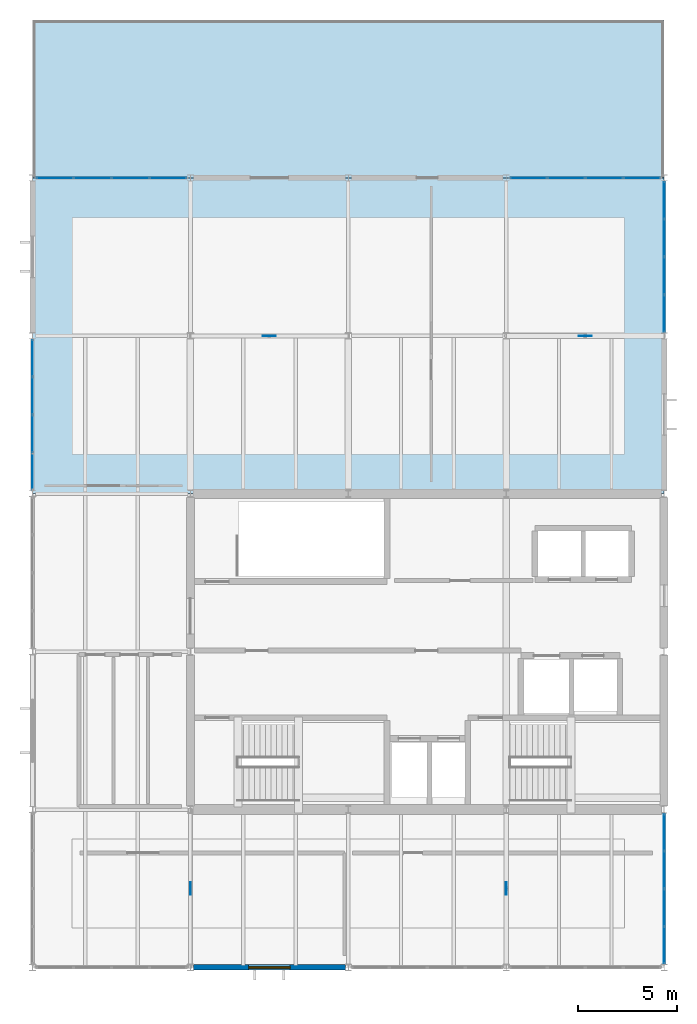
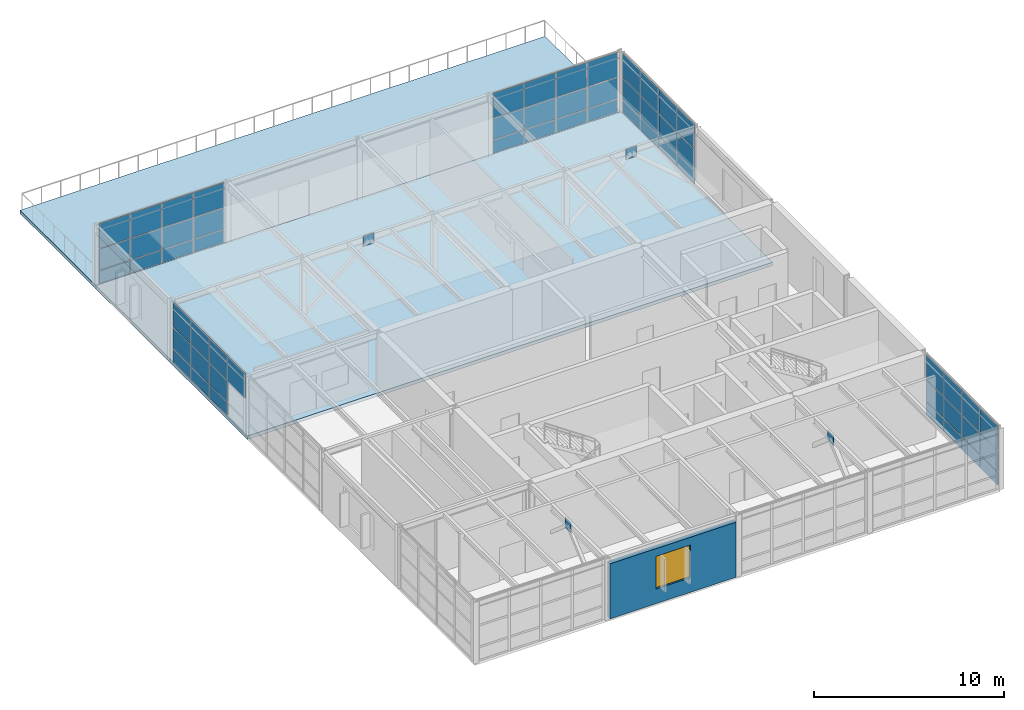
# One storey, part 12 of 15: 62 plates, 2 slabs, 1 wall, 1 window, 1 opening, 5 elements without a shape of their own.
"""IFC4 building model written with IfcOpenShell, lengths in metres."""

from ifc_helpers import new_model, si_unit, direction, frame, frame_2d, origin, origin_2d, place, context, subcontext, project, spatial, polyline, rectangle, outline, extrude, material, layer, layer_set, type_object, element, fill, aggregate, save


model = new_model("IFC4")

# Units and contexts
model_context = context("Model", 3, precision=1e-05, world=origin(), true_north=direction((0.0, 1.0)))
body_context = subcontext(model_context, "Body", "Model", "MODEL_VIEW")
ifc_project = project(units=[si_unit("LENGTHUNIT", "METRE"), si_unit("AREAUNIT", "SQUARE_METRE"), si_unit("VOLUMEUNIT", "CUBIC_METRE"), si_unit("PLANEANGLEUNIT", "RADIAN"), si_unit("MASSUNIT", "GRAM", prefix="KILO")], contexts=[model_context])

# Site, building, storey
site_placement = place(None, origin())
site = spatial("IfcSite", under=ifc_project, at=site_placement, CompositionType="ELEMENT")
building_placement = place(site_placement, origin())
building = spatial("IfcBuilding", under=site, at=building_placement, Name="Varnela Railside Interchange", CompositionType="ELEMENT")
storey_placement = place(building_placement, frame((0.0, 0.0, 32.199951171875)))
storey = spatial("IfcBuildingStorey", under=building, at=storey_placement, Name="L07", CompositionType="ELEMENT", Elevation=32.199951171875)

# Curtain wall, plates
ifc_material_1 = material(Name="Aluminium 6063-T6", Category="aluminium")
ifc_layer_1 = layer(ifc_material_1, 0.035888671875)
ifc_layer_set_1 = layer_set([ifc_layer_1], Name="Aluminium 6063-T6")
curtain_wall_type = type_object("IfcCurtainWallType", Name="Operations Wing Facade Curtain Wall CW-03", PredefinedType="USERDEFINED", material=ifc_layer_set_1)
curtain_wall_1_placement = place(storey_placement, origin())
curtain_wall_1 = element("IfcCurtainWall", 1, at=curtain_wall_1_placement, inside=storey, type_object=curtain_wall_type, Name="Curtain Wall CW-03 (L07) (CW-158)", ObjectType="CURTAIN WALL", PredefinedType="USERDEFINED")
ifc_material_2 = material(Name="Glass laminated double", Category="glass")
ifc_layer_2 = layer(ifc_material_2, 0.0400390625)
ifc_layer_set_2 = layer_set([ifc_layer_2], Name="Glass laminated double")
plate_type_1 = type_object("IfcPlateType", Name="Acoustic Laminated Vision GL-03", PredefinedType="CURTAIN_PANEL", material=ifc_layer_set_2)
plate_1_placement = place(storey_placement, frame((4.0, 71.130615234375, 2.326904296875), z_axis=(0.0, 0.0, 1.0), x_axis=(0.0, 1.0, 0.0)))
plate_1 = element("IfcPlate", 2, at=plate_1_placement, type_object=plate_type_1, Name="CW-03 panel 1.3", PredefinedType="CURTAIN_PANEL", context=body_context, shape_type="SweptSolid", body=[
    extrude(rectangle(XDim=1.8330078125, YDim=0.0400390625, at=origin_2d()), origin(), (0.0, 0.0, 1.0), 1.5732421875),
])
plate_2_placement = place(storey_placement, frame((4.0, 73.03857421875, 0.06005859375), z_axis=(0.0, 0.0, 1.0), x_axis=(0.0, 1.0, 0.0)))
plate_2 = element("IfcPlate", 3, at=plate_2_placement, type_object=plate_type_1, Name="CW-03 panel 2.1", PredefinedType="CURTAIN_PANEL", context=body_context, shape_type="SweptSolid", body=[
    extrude(rectangle(XDim=1.863037109375, YDim=0.0400390625, at=origin_2d()), origin(), (0.0, 0.0, 1.0), 0.81005859375),
])
plate_3_placement = place(storey_placement, frame((4.0, 73.03857421875, 0.929931640625), z_axis=(0.0, 0.0, 1.0), x_axis=(0.0, 1.0, 0.0)))
plate_3 = element("IfcPlate", 4, at=plate_3_placement, type_object=plate_type_1, Name="CW-03 panel 2.2", PredefinedType="CURTAIN_PANEL", context=body_context, shape_type="SweptSolid", body=[
    extrude(rectangle(XDim=1.863037109375, YDim=0.0400390625, at=origin_2d()), origin(), (0.0, 0.0, 1.0), 1.3369140625),
])
plate_4_placement = place(storey_placement, frame((4.0, 73.03857421875, 2.326904296875), z_axis=(0.0, 0.0, 1.0), x_axis=(0.0, 1.0, 0.0)))
plate_4 = element("IfcPlate", 5, at=plate_4_placement, type_object=plate_type_1, Name="CW-03 panel 2.3", PredefinedType="CURTAIN_PANEL", context=body_context, shape_type="SweptSolid", body=[
    extrude(rectangle(XDim=1.863037109375, YDim=0.0400390625, at=origin_2d()), origin(), (0.0, 0.0, 1.0), 1.5732421875),
])
plate_5_placement = place(storey_placement, frame((4.0, 74.96142578125, 0.06005859375), z_axis=(0.0, 0.0, 1.0), x_axis=(0.0, 1.0, 0.0)))
plate_5 = element("IfcPlate", 6, at=plate_5_placement, type_object=plate_type_1, Name="CW-03 panel 3.1", PredefinedType="CURTAIN_PANEL", context=body_context, shape_type="SweptSolid", body=[
    extrude(rectangle(XDim=1.863037109375, YDim=0.0400390625, at=origin_2d()), origin(), (0.0, 0.0, 1.0), 0.81005859375),
])
plate_6_placement = place(storey_placement, frame((4.0, 74.96142578125, 0.929931640625), z_axis=(0.0, 0.0, 1.0), x_axis=(0.0, 1.0, 0.0)))
plate_6 = element("IfcPlate", 7, at=plate_6_placement, type_object=plate_type_1, Name="CW-03 panel 3.2", PredefinedType="CURTAIN_PANEL", context=body_context, shape_type="SweptSolid", body=[
    extrude(rectangle(XDim=1.863037109375, YDim=0.0400390625, at=origin_2d()), origin(), (0.0, 0.0, 1.0), 1.3369140625),
])
plate_7_placement = place(storey_placement, frame((4.0, 74.96142578125, 2.326904296875), z_axis=(0.0, 0.0, 1.0), x_axis=(0.0, 1.0, 0.0)))
plate_7 = element("IfcPlate", 8, at=plate_7_placement, type_object=plate_type_1, Name="CW-03 panel 3.3", PredefinedType="CURTAIN_PANEL", context=body_context, shape_type="SweptSolid", body=[
    extrude(rectangle(XDim=1.863037109375, YDim=0.0400390625, at=origin_2d()), origin(), (0.0, 0.0, 1.0), 1.5732421875),
])
plate_8_placement = place(storey_placement, frame((4.0, 76.869384765625, 0.06005859375), z_axis=(0.0, 0.0, 1.0), x_axis=(0.0, 1.0, 0.0)))
plate_8 = element("IfcPlate", 9, at=plate_8_placement, type_object=plate_type_1, Name="CW-03 panel 4.1", PredefinedType="CURTAIN_PANEL", context=body_context, shape_type="SweptSolid", body=[
    extrude(rectangle(XDim=1.8330078125, YDim=0.0400390625, at=origin_2d()), origin(), (0.0, 0.0, 1.0), 0.81005859375),
])
plate_9_placement = place(storey_placement, frame((4.0, 76.869384765625, 0.929931640625), z_axis=(0.0, 0.0, 1.0), x_axis=(0.0, 1.0, 0.0)))
plate_9 = element("IfcPlate", 10, at=plate_9_placement, type_object=plate_type_1, Name="CW-03 panel 4.2", PredefinedType="CURTAIN_PANEL", context=body_context, shape_type="SweptSolid", body=[
    extrude(rectangle(XDim=1.8330078125, YDim=0.0400390625, at=origin_2d()), origin(), (0.0, 0.0, 1.0), 1.3369140625),
])
plate_10_placement = place(storey_placement, frame((4.0, 76.869384765625, 2.326904296875), z_axis=(0.0, 0.0, 1.0), x_axis=(0.0, 1.0, 0.0)))
plate_10 = element("IfcPlate", 11, at=plate_10_placement, type_object=plate_type_1, Name="CW-03 panel 4.3", PredefinedType="CURTAIN_PANEL", context=body_context, shape_type="SweptSolid", body=[
    extrude(rectangle(XDim=1.8330078125, YDim=0.0400390625, at=origin_2d()), origin(), (0.0, 0.0, 1.0), 1.5732421875),
])
aggregate(curtain_wall_1, [plate_1, plate_2, plate_3, plate_4, plate_5, plate_6, plate_7, plate_8, plate_9, plate_10])

curtain_wall_2_placement = place(storey_placement, origin())
curtain_wall_2 = element("IfcCurtainWall", 12, at=curtain_wall_2_placement, inside=storey, type_object=curtain_wall_type, Name="Curtain Wall CW-03 (L07) (CW-150)", ObjectType="CURTAIN WALL", PredefinedType="USERDEFINED")
plate_11_placement = place(storey_placement, frame((5.13134765625, 86.0, 0.06005859375), z_axis=(0.0, 0.0, 1.0), x_axis=(1.0, 0.0, 0.0)))
plate_11 = element("IfcPlate", 13, at=plate_11_placement, type_object=plate_type_1, Name="CW-03 panel 1.1", PredefinedType="CURTAIN_PANEL", context=body_context, shape_type="SweptSolid", body=[
    extrude(rectangle(XDim=1.83251953125, YDim=0.0400390625, at=origin_2d()), origin(), (0.0, 0.0, 1.0), 0.81005859375),
])
plate_12_placement = place(storey_placement, frame((5.13134765625, 86.0, 0.929931640625), z_axis=(0.0, 0.0, 1.0), x_axis=(1.0, 0.0, 0.0)))
plate_12 = element("IfcPlate", 14, at=plate_12_placement, type_object=plate_type_1, Name="CW-03 panel 1.2", PredefinedType="CURTAIN_PANEL", context=body_context, shape_type="SweptSolid", body=[
    extrude(rectangle(XDim=1.83251953125, YDim=0.0400390625, at=origin_2d()), origin(), (0.0, 0.0, 1.0), 1.3369140625),
])
plate_13_placement = place(storey_placement, frame((5.13134765625, 86.0, 2.326904296875), z_axis=(0.0, 0.0, 1.0), x_axis=(1.0, 0.0, 0.0)))
plate_13 = element("IfcPlate", 15, at=plate_13_placement, type_object=plate_type_1, Name="CW-03 panel 1.3", PredefinedType="CURTAIN_PANEL", context=body_context, shape_type="SweptSolid", body=[
    extrude(rectangle(XDim=1.83251953125, YDim=0.0400390625, at=origin_2d()), origin(), (0.0, 0.0, 1.0), 1.5732421875),
])
plate_14_placement = place(storey_placement, frame((7.038818359375, 86.0, 0.06005859375), z_axis=(0.0, 0.0, 1.0), x_axis=(1.0, 0.0, 0.0)))
plate_14 = element("IfcPlate", 16, at=plate_14_placement, type_object=plate_type_1, Name="CW-03 panel 2.1", PredefinedType="CURTAIN_PANEL", context=body_context, shape_type="SweptSolid", body=[
    extrude(rectangle(XDim=1.862548828125, YDim=0.0400390625, at=origin_2d()), origin(), (0.0, 0.0, 1.0), 0.81005859375),
])
plate_15_placement = place(storey_placement, frame((7.038818359375, 86.0, 0.929931640625), z_axis=(0.0, 0.0, 1.0), x_axis=(1.0, 0.0, 0.0)))
plate_15 = element("IfcPlate", 17, at=plate_15_placement, type_object=plate_type_1, Name="CW-03 panel 2.2", PredefinedType="CURTAIN_PANEL", context=body_context, shape_type="SweptSolid", body=[
    extrude(rectangle(XDim=1.862548828125, YDim=0.0400390625, at=origin_2d()), origin(), (0.0, 0.0, 1.0), 1.3369140625),
])
plate_16_placement = place(storey_placement, frame((7.038818359375, 86.0, 2.326904296875), z_axis=(0.0, 0.0, 1.0), x_axis=(1.0, 0.0, 0.0)))
plate_16 = element("IfcPlate", 18, at=plate_16_placement, type_object=plate_type_1, Name="CW-03 panel 2.3", PredefinedType="CURTAIN_PANEL", context=body_context, shape_type="SweptSolid", body=[
    extrude(rectangle(XDim=1.862548828125, YDim=0.0400390625, at=origin_2d()), origin(), (0.0, 0.0, 1.0), 1.5732421875),
])
plate_17_placement = place(storey_placement, frame((8.961181640625, 86.0, 0.06005859375), z_axis=(0.0, 0.0, 1.0), x_axis=(1.0, 0.0, 0.0)))
plate_17 = element("IfcPlate", 19, at=plate_17_placement, type_object=plate_type_1, Name="CW-03 panel 3.1", PredefinedType="CURTAIN_PANEL", context=body_context, shape_type="SweptSolid", body=[
    extrude(rectangle(XDim=1.862548828125, YDim=0.0400390625, at=origin_2d()), origin(), (0.0, 0.0, 1.0), 0.81005859375),
])
plate_18_placement = place(storey_placement, frame((8.961181640625, 86.0, 0.929931640625), z_axis=(0.0, 0.0, 1.0), x_axis=(1.0, 0.0, 0.0)))
plate_18 = element("IfcPlate", 20, at=plate_18_placement, type_object=plate_type_1, Name="CW-03 panel 3.2", PredefinedType="CURTAIN_PANEL", context=body_context, shape_type="SweptSolid", body=[
    extrude(rectangle(XDim=1.862548828125, YDim=0.0400390625, at=origin_2d()), origin(), (0.0, 0.0, 1.0), 1.3369140625),
])
plate_19_placement = place(storey_placement, frame((8.961181640625, 86.0, 2.326904296875), z_axis=(0.0, 0.0, 1.0), x_axis=(1.0, 0.0, 0.0)))
plate_19 = element("IfcPlate", 21, at=plate_19_placement, type_object=plate_type_1, Name="CW-03 panel 3.3", PredefinedType="CURTAIN_PANEL", context=body_context, shape_type="SweptSolid", body=[
    extrude(rectangle(XDim=1.862548828125, YDim=0.0400390625, at=origin_2d()), origin(), (0.0, 0.0, 1.0), 1.5732421875),
])
plate_20_placement = place(storey_placement, frame((10.86865234375, 86.0, 0.06005859375), z_axis=(0.0, 0.0, 1.0), x_axis=(1.0, 0.0, 0.0)))
plate_20 = element("IfcPlate", 22, at=plate_20_placement, type_object=plate_type_1, Name="CW-03 panel 4.1", PredefinedType="CURTAIN_PANEL", context=body_context, shape_type="SweptSolid", body=[
    extrude(rectangle(XDim=1.83251953125, YDim=0.0400390625, at=origin_2d()), origin(), (0.0, 0.0, 1.0), 0.81005859375),
])
plate_21_placement = place(storey_placement, frame((10.86865234375, 86.0, 0.929931640625), z_axis=(0.0, 0.0, 1.0), x_axis=(1.0, 0.0, 0.0)))
plate_21 = element("IfcPlate", 23, at=plate_21_placement, type_object=plate_type_1, Name="CW-03 panel 4.2", PredefinedType="CURTAIN_PANEL", context=body_context, shape_type="SweptSolid", body=[
    extrude(rectangle(XDim=1.83251953125, YDim=0.0400390625, at=origin_2d()), origin(), (0.0, 0.0, 1.0), 1.3369140625),
])
plate_22_placement = place(storey_placement, frame((10.86865234375, 86.0, 2.326904296875), z_axis=(0.0, 0.0, 1.0), x_axis=(1.0, 0.0, 0.0)))
plate_22 = element("IfcPlate", 24, at=plate_22_placement, type_object=plate_type_1, Name="CW-03 panel 4.3", PredefinedType="CURTAIN_PANEL", context=body_context, shape_type="SweptSolid", body=[
    extrude(rectangle(XDim=1.83251953125, YDim=0.0400390625, at=origin_2d()), origin(), (0.0, 0.0, 1.0), 1.5732421875),
])
aggregate(curtain_wall_2, [plate_11, plate_12, plate_13, plate_14, plate_15, plate_16, plate_17, plate_18, plate_19, plate_20, plate_21, plate_22])

curtain_wall_3_placement = place(storey_placement, origin())
curtain_wall_3 = element("IfcCurtainWall", 25, at=curtain_wall_3_placement, inside=storey, type_object=curtain_wall_type, Name="Curtain Wall CW-03 (L07) (CW-151)", ObjectType="CURTAIN WALL", PredefinedType="USERDEFINED")
plate_23_placement = place(storey_placement, frame((29.13134765625, 86.0, 0.06005859375), z_axis=(0.0, 0.0, 1.0), x_axis=(1.0, 0.0, 0.0)))
plate_23 = element("IfcPlate", 26, at=plate_23_placement, type_object=plate_type_1, Name="CW-03 panel 1.1", PredefinedType="CURTAIN_PANEL", context=body_context, shape_type="SweptSolid", body=[
    extrude(rectangle(XDim=1.83251953125, YDim=0.0400390625, at=origin_2d()), origin(), (0.0, 0.0, 1.0), 0.81005859375),
])
plate_24_placement = place(storey_placement, frame((29.13134765625, 86.0, 0.929931640625), z_axis=(0.0, 0.0, 1.0), x_axis=(1.0, 0.0, 0.0)))
plate_24 = element("IfcPlate", 27, at=plate_24_placement, type_object=plate_type_1, Name="CW-03 panel 1.2", PredefinedType="CURTAIN_PANEL", context=body_context, shape_type="SweptSolid", body=[
    extrude(rectangle(XDim=1.83251953125, YDim=0.0400390625, at=origin_2d()), origin(), (0.0, 0.0, 1.0), 1.3369140625),
])
plate_25_placement = place(storey_placement, frame((29.13134765625, 86.0, 2.326904296875), z_axis=(0.0, 0.0, 1.0), x_axis=(1.0, 0.0, 0.0)))
plate_25 = element("IfcPlate", 28, at=plate_25_placement, type_object=plate_type_1, Name="CW-03 panel 1.3", PredefinedType="CURTAIN_PANEL", context=body_context, shape_type="SweptSolid", body=[
    extrude(rectangle(XDim=1.83251953125, YDim=0.0400390625, at=origin_2d()), origin(), (0.0, 0.0, 1.0), 1.5732421875),
])
plate_26_placement = place(storey_placement, frame((31.038818359375, 86.0, 0.06005859375), z_axis=(0.0, 0.0, 1.0), x_axis=(1.0, 0.0, 0.0)))
plate_26 = element("IfcPlate", 29, at=plate_26_placement, type_object=plate_type_1, Name="CW-03 panel 2.1", PredefinedType="CURTAIN_PANEL", context=body_context, shape_type="SweptSolid", body=[
    extrude(rectangle(XDim=1.862548828125, YDim=0.0400390625, at=origin_2d()), origin(), (0.0, 0.0, 1.0), 0.81005859375),
])
plate_27_placement = place(storey_placement, frame((31.038818359375, 86.0, 0.929931640625), z_axis=(0.0, 0.0, 1.0), x_axis=(1.0, 0.0, 0.0)))
plate_27 = element("IfcPlate", 30, at=plate_27_placement, type_object=plate_type_1, Name="CW-03 panel 2.2", PredefinedType="CURTAIN_PANEL", context=body_context, shape_type="SweptSolid", body=[
    extrude(rectangle(XDim=1.862548828125, YDim=0.0400390625, at=origin_2d()), origin(), (0.0, 0.0, 1.0), 1.3369140625),
])
plate_28_placement = place(storey_placement, frame((31.038818359375, 86.0, 2.326904296875), z_axis=(0.0, 0.0, 1.0), x_axis=(1.0, 0.0, 0.0)))
plate_28 = element("IfcPlate", 31, at=plate_28_placement, type_object=plate_type_1, Name="CW-03 panel 2.3", PredefinedType="CURTAIN_PANEL", context=body_context, shape_type="SweptSolid", body=[
    extrude(rectangle(XDim=1.862548828125, YDim=0.0400390625, at=origin_2d()), origin(), (0.0, 0.0, 1.0), 1.5732421875),
])
plate_29_placement = place(storey_placement, frame((32.961181640625, 86.0, 0.06005859375), z_axis=(0.0, 0.0, 1.0), x_axis=(1.0, 0.0, 0.0)))
plate_29 = element("IfcPlate", 32, at=plate_29_placement, type_object=plate_type_1, Name="CW-03 panel 3.1", PredefinedType="CURTAIN_PANEL", context=body_context, shape_type="SweptSolid", body=[
    extrude(rectangle(XDim=1.862548828125, YDim=0.0400390625, at=origin_2d()), origin(), (0.0, 0.0, 1.0), 0.81005859375),
])
plate_30_placement = place(storey_placement, frame((32.961181640625, 86.0, 0.929931640625), z_axis=(0.0, 0.0, 1.0), x_axis=(1.0, 0.0, 0.0)))
plate_30 = element("IfcPlate", 33, at=plate_30_placement, type_object=plate_type_1, Name="CW-03 panel 3.2", PredefinedType="CURTAIN_PANEL", context=body_context, shape_type="SweptSolid", body=[
    extrude(rectangle(XDim=1.862548828125, YDim=0.0400390625, at=origin_2d()), origin(), (0.0, 0.0, 1.0), 1.3369140625),
])
plate_31_placement = place(storey_placement, frame((32.961181640625, 86.0, 2.326904296875), z_axis=(0.0, 0.0, 1.0), x_axis=(1.0, 0.0, 0.0)))
plate_31 = element("IfcPlate", 34, at=plate_31_placement, type_object=plate_type_1, Name="CW-03 panel 3.3", PredefinedType="CURTAIN_PANEL", context=body_context, shape_type="SweptSolid", body=[
    extrude(rectangle(XDim=1.862548828125, YDim=0.0400390625, at=origin_2d()), origin(), (0.0, 0.0, 1.0), 1.5732421875),
])
plate_32_placement = place(storey_placement, frame((34.86865234375, 86.0, 0.06005859375), z_axis=(0.0, 0.0, 1.0), x_axis=(1.0, 0.0, 0.0)))
plate_32 = element("IfcPlate", 35, at=plate_32_placement, type_object=plate_type_1, Name="CW-03 panel 4.1", PredefinedType="CURTAIN_PANEL", context=body_context, shape_type="SweptSolid", body=[
    extrude(rectangle(XDim=1.83251953125, YDim=0.0400390625, at=origin_2d()), origin(), (0.0, 0.0, 1.0), 0.81005859375),
])
plate_33_placement = place(storey_placement, frame((34.86865234375, 86.0, 0.929931640625), z_axis=(0.0, 0.0, 1.0), x_axis=(1.0, 0.0, 0.0)))
plate_33 = element("IfcPlate", 36, at=plate_33_placement, type_object=plate_type_1, Name="CW-03 panel 4.2", PredefinedType="CURTAIN_PANEL", context=body_context, shape_type="SweptSolid", body=[
    extrude(rectangle(XDim=1.83251953125, YDim=0.0400390625, at=origin_2d()), origin(), (0.0, 0.0, 1.0), 1.3369140625),
])
plate_34_placement = place(storey_placement, frame((34.86865234375, 86.0, 2.326904296875), z_axis=(0.0, 0.0, 1.0), x_axis=(1.0, 0.0, 0.0)))
plate_34 = element("IfcPlate", 37, at=plate_34_placement, type_object=plate_type_1, Name="CW-03 panel 4.3", PredefinedType="CURTAIN_PANEL", context=body_context, shape_type="SweptSolid", body=[
    extrude(rectangle(XDim=1.83251953125, YDim=0.0400390625, at=origin_2d()), origin(), (0.0, 0.0, 1.0), 1.5732421875),
])
aggregate(curtain_wall_3, [plate_23, plate_24, plate_25, plate_26, plate_27, plate_28, plate_29, plate_30, plate_31, plate_32, plate_33, plate_34])

curtain_wall_4_placement = place(storey_placement, origin())
curtain_wall_4 = element("IfcCurtainWall", 38, at=curtain_wall_4_placement, inside=storey, type_object=curtain_wall_type, Name="Curtain Wall CW-03 (L07) (CW-152)", ObjectType="CURTAIN WALL", PredefinedType="USERDEFINED")
plate_35_placement = place(storey_placement, frame((36.0, 84.869384765625, 0.06005859375), z_axis=(0.0, 0.0, 1.0), x_axis=(0.0, -1.0, 0.0)))
plate_35 = element("IfcPlate", 39, at=plate_35_placement, type_object=plate_type_1, Name="CW-03 panel 1.1", PredefinedType="CURTAIN_PANEL", context=body_context, shape_type="SweptSolid", body=[
    extrude(rectangle(XDim=1.8330078125, YDim=0.0400390625, at=origin_2d()), origin(), (0.0, 0.0, 1.0), 0.81005859375),
])
plate_36_placement = place(storey_placement, frame((36.0, 84.869384765625, 0.929931640625), z_axis=(0.0, 0.0, 1.0), x_axis=(0.0, -1.0, 0.0)))
plate_36 = element("IfcPlate", 40, at=plate_36_placement, type_object=plate_type_1, Name="CW-03 panel 1.2", PredefinedType="CURTAIN_PANEL", context=body_context, shape_type="SweptSolid", body=[
    extrude(rectangle(XDim=1.8330078125, YDim=0.0400390625, at=origin_2d()), origin(), (0.0, 0.0, 1.0), 1.3369140625),
])
plate_37_placement = place(storey_placement, frame((36.0, 84.869384765625, 2.326904296875), z_axis=(0.0, 0.0, 1.0), x_axis=(0.0, -1.0, 0.0)))
plate_37 = element("IfcPlate", 41, at=plate_37_placement, type_object=plate_type_1, Name="CW-03 panel 1.3", PredefinedType="CURTAIN_PANEL", context=body_context, shape_type="SweptSolid", body=[
    extrude(rectangle(XDim=1.8330078125, YDim=0.0400390625, at=origin_2d()), origin(), (0.0, 0.0, 1.0), 1.5732421875),
])
plate_38_placement = place(storey_placement, frame((36.0, 82.96142578125, 0.06005859375), z_axis=(0.0, 0.0, 1.0), x_axis=(0.0, -1.0, 0.0)))
plate_38 = element("IfcPlate", 42, at=plate_38_placement, type_object=plate_type_1, Name="CW-03 panel 2.1", PredefinedType="CURTAIN_PANEL", context=body_context, shape_type="SweptSolid", body=[
    extrude(rectangle(XDim=1.863037109375, YDim=0.0400390625, at=origin_2d()), origin(), (0.0, 0.0, 1.0), 0.81005859375),
])
plate_39_placement = place(storey_placement, frame((36.0, 82.96142578125, 0.929931640625), z_axis=(0.0, 0.0, 1.0), x_axis=(0.0, -1.0, 0.0)))
plate_39 = element("IfcPlate", 43, at=plate_39_placement, type_object=plate_type_1, Name="CW-03 panel 2.2", PredefinedType="CURTAIN_PANEL", context=body_context, shape_type="SweptSolid", body=[
    extrude(rectangle(XDim=1.863037109375, YDim=0.0400390625, at=origin_2d()), origin(), (0.0, 0.0, 1.0), 1.3369140625),
])
plate_40_placement = place(storey_placement, frame((36.0, 82.96142578125, 2.326904296875), z_axis=(0.0, 0.0, 1.0), x_axis=(0.0, -1.0, 0.0)))
plate_40 = element("IfcPlate", 44, at=plate_40_placement, type_object=plate_type_1, Name="CW-03 panel 2.3", PredefinedType="CURTAIN_PANEL", context=body_context, shape_type="SweptSolid", body=[
    extrude(rectangle(XDim=1.863037109375, YDim=0.0400390625, at=origin_2d()), origin(), (0.0, 0.0, 1.0), 1.5732421875),
])
plate_41_placement = place(storey_placement, frame((36.0, 81.03857421875, 0.06005859375), z_axis=(0.0, 0.0, 1.0), x_axis=(0.0, -1.0, 0.0)))
plate_41 = element("IfcPlate", 45, at=plate_41_placement, type_object=plate_type_1, Name="CW-03 panel 3.1", PredefinedType="CURTAIN_PANEL", context=body_context, shape_type="SweptSolid", body=[
    extrude(rectangle(XDim=1.863037109375, YDim=0.0400390625, at=origin_2d()), origin(), (0.0, 0.0, 1.0), 0.81005859375),
])
plate_42_placement = place(storey_placement, frame((36.0, 81.03857421875, 0.929931640625), z_axis=(0.0, 0.0, 1.0), x_axis=(0.0, -1.0, 0.0)))
plate_42 = element("IfcPlate", 46, at=plate_42_placement, type_object=plate_type_1, Name="CW-03 panel 3.2", PredefinedType="CURTAIN_PANEL", context=body_context, shape_type="SweptSolid", body=[
    extrude(rectangle(XDim=1.863037109375, YDim=0.0400390625, at=origin_2d()), origin(), (0.0, 0.0, 1.0), 1.3369140625),
])
plate_43_placement = place(storey_placement, frame((36.0, 81.03857421875, 2.326904296875), z_axis=(0.0, 0.0, 1.0), x_axis=(0.0, -1.0, 0.0)))
plate_43 = element("IfcPlate", 47, at=plate_43_placement, type_object=plate_type_1, Name="CW-03 panel 3.3", PredefinedType="CURTAIN_PANEL", context=body_context, shape_type="SweptSolid", body=[
    extrude(rectangle(XDim=1.863037109375, YDim=0.0400390625, at=origin_2d()), origin(), (0.0, 0.0, 1.0), 1.5732421875),
])
plate_44_placement = place(storey_placement, frame((36.0, 79.130615234375, 0.06005859375), z_axis=(0.0, 0.0, 1.0), x_axis=(0.0, -1.0, 0.0)))
plate_44 = element("IfcPlate", 48, at=plate_44_placement, type_object=plate_type_1, Name="CW-03 panel 4.1", PredefinedType="CURTAIN_PANEL", context=body_context, shape_type="SweptSolid", body=[
    extrude(rectangle(XDim=1.8330078125, YDim=0.0400390625, at=origin_2d()), origin(), (0.0, 0.0, 1.0), 0.81005859375),
])
plate_45_placement = place(storey_placement, frame((36.0, 79.130615234375, 0.929931640625), z_axis=(0.0, 0.0, 1.0), x_axis=(0.0, -1.0, 0.0)))
plate_45 = element("IfcPlate", 49, at=plate_45_placement, type_object=plate_type_1, Name="CW-03 panel 4.2", PredefinedType="CURTAIN_PANEL", context=body_context, shape_type="SweptSolid", body=[
    extrude(rectangle(XDim=1.8330078125, YDim=0.0400390625, at=origin_2d()), origin(), (0.0, 0.0, 1.0), 1.3369140625),
])
plate_46_placement = place(storey_placement, frame((36.0, 79.130615234375, 2.326904296875), z_axis=(0.0, 0.0, 1.0), x_axis=(0.0, -1.0, 0.0)))
plate_46 = element("IfcPlate", 50, at=plate_46_placement, type_object=plate_type_1, Name="CW-03 panel 4.3", PredefinedType="CURTAIN_PANEL", context=body_context, shape_type="SweptSolid", body=[
    extrude(rectangle(XDim=1.8330078125, YDim=0.0400390625, at=origin_2d()), origin(), (0.0, 0.0, 1.0), 1.5732421875),
])
aggregate(curtain_wall_4, [plate_35, plate_36, plate_37, plate_38, plate_39, plate_40, plate_41, plate_42, plate_43, plate_44, plate_45, plate_46])

curtain_wall_5_placement = place(storey_placement, origin())
curtain_wall_5 = element("IfcCurtainWall", 51, at=curtain_wall_5_placement, inside=storey, type_object=curtain_wall_type, Name="Curtain Wall CW-03 (L07) (CW-153)", ObjectType="CURTAIN WALL", PredefinedType="USERDEFINED")
plate_47_placement = place(storey_placement, frame((36.0, 52.845458984375, 0.06005859375), z_axis=(0.0, 0.0, 1.0), x_axis=(0.0, -1.0, 0.0)))
plate_47 = element("IfcPlate", 52, at=plate_47_placement, type_object=plate_type_1, Name="CW-03 panel 1.1", PredefinedType="CURTAIN_PANEL", context=body_context, shape_type="SweptSolid", body=[
    extrude(rectangle(XDim=1.826171875, YDim=0.0400390625, at=origin_2d()), origin(), (0.0, 0.0, 1.0), 0.81005859375),
])
plate_48_placement = place(storey_placement, frame((36.0, 52.845458984375, 0.929931640625), z_axis=(0.0, 0.0, 1.0), x_axis=(0.0, -1.0, 0.0)))
plate_48 = element("IfcPlate", 53, at=plate_48_placement, type_object=plate_type_1, Name="CW-03 panel 1.2", PredefinedType="CURTAIN_PANEL", context=body_context, shape_type="SweptSolid", body=[
    extrude(rectangle(XDim=1.826171875, YDim=0.0400390625, at=origin_2d()), origin(), (0.0, 0.0, 1.0), 1.3369140625),
])
plate_49_placement = place(storey_placement, frame((36.0, 52.845458984375, 2.326904296875), z_axis=(0.0, 0.0, 1.0), x_axis=(0.0, -1.0, 0.0)))
plate_49 = element("IfcPlate", 54, at=plate_49_placement, type_object=plate_type_1, Name="CW-03 panel 1.3", PredefinedType="CURTAIN_PANEL", context=body_context, shape_type="SweptSolid", body=[
    extrude(rectangle(XDim=1.826171875, YDim=0.0400390625, at=origin_2d()), origin(), (0.0, 0.0, 1.0), 1.5732421875),
])
plate_50_placement = place(storey_placement, frame((36.0, 50.9443359375, 0.06005859375), z_axis=(0.0, 0.0, 1.0), x_axis=(0.0, -1.0, 0.0)))
plate_50 = element("IfcPlate", 55, at=plate_50_placement, type_object=plate_type_1, Name="CW-03 panel 2.1", PredefinedType="CURTAIN_PANEL", context=body_context, shape_type="SweptSolid", body=[
    extrude(rectangle(XDim=1.856201171875, YDim=0.0400390625, at=origin_2d()), origin(), (0.0, 0.0, 1.0), 0.81005859375),
])
plate_51_placement = place(storey_placement, frame((36.0, 50.9443359375, 0.929931640625), z_axis=(0.0, 0.0, 1.0), x_axis=(0.0, -1.0, 0.0)))
plate_51 = element("IfcPlate", 56, at=plate_51_placement, type_object=plate_type_1, Name="CW-03 panel 2.2", PredefinedType="CURTAIN_PANEL", context=body_context, shape_type="SweptSolid", body=[
    extrude(rectangle(XDim=1.856201171875, YDim=0.0400390625, at=origin_2d()), origin(), (0.0, 0.0, 1.0), 1.3369140625),
])
plate_52_placement = place(storey_placement, frame((36.0, 50.9443359375, 2.326904296875), z_axis=(0.0, 0.0, 1.0), x_axis=(0.0, -1.0, 0.0)))
plate_52 = element("IfcPlate", 57, at=plate_52_placement, type_object=plate_type_1, Name="CW-03 panel 2.3", PredefinedType="CURTAIN_PANEL", context=body_context, shape_type="SweptSolid", body=[
    extrude(rectangle(XDim=1.856201171875, YDim=0.0400390625, at=origin_2d()), origin(), (0.0, 0.0, 1.0), 1.5732421875),
])
plate_53_placement = place(storey_placement, frame((36.0, 49.028076171875, 0.06005859375), z_axis=(0.0, 0.0, 1.0), x_axis=(0.0, -1.0, 0.0)))
plate_53 = element("IfcPlate", 58, at=plate_53_placement, type_object=plate_type_1, Name="CW-03 panel 3.1", PredefinedType="CURTAIN_PANEL", context=body_context, shape_type="SweptSolid", body=[
    extrude(rectangle(XDim=1.856201171875, YDim=0.0400390625, at=origin_2d()), origin(), (0.0, 0.0, 1.0), 0.81005859375),
])
plate_54_placement = place(storey_placement, frame((36.0, 49.028076171875, 0.929931640625), z_axis=(0.0, 0.0, 1.0), x_axis=(0.0, -1.0, 0.0)))
plate_54 = element("IfcPlate", 59, at=plate_54_placement, type_object=plate_type_1, Name="CW-03 panel 3.2", PredefinedType="CURTAIN_PANEL", context=body_context, shape_type="SweptSolid", body=[
    extrude(rectangle(XDim=1.856201171875, YDim=0.0400390625, at=origin_2d()), origin(), (0.0, 0.0, 1.0), 1.3369140625),
])
plate_55_placement = place(storey_placement, frame((36.0, 49.028076171875, 2.326904296875), z_axis=(0.0, 0.0, 1.0), x_axis=(0.0, -1.0, 0.0)))
plate_55 = element("IfcPlate", 60, at=plate_55_placement, type_object=plate_type_1, Name="CW-03 panel 3.3", PredefinedType="CURTAIN_PANEL", context=body_context, shape_type="SweptSolid", body=[
    extrude(rectangle(XDim=1.856201171875, YDim=0.0400390625, at=origin_2d()), origin(), (0.0, 0.0, 1.0), 1.5732421875),
])
plate_56_placement = place(storey_placement, frame((36.0, 47.126953125, 0.06005859375), z_axis=(0.0, 0.0, 1.0), x_axis=(0.0, -1.0, 0.0)))
plate_56 = element("IfcPlate", 61, at=plate_56_placement, type_object=plate_type_1, Name="CW-03 panel 4.1", PredefinedType="CURTAIN_PANEL", context=body_context, shape_type="SweptSolid", body=[
    extrude(rectangle(XDim=1.826171875, YDim=0.0400390625, at=origin_2d()), origin(), (0.0, 0.0, 1.0), 0.81005859375),
])
plate_57_placement = place(storey_placement, frame((36.0, 47.126953125, 0.929931640625), z_axis=(0.0, 0.0, 1.0), x_axis=(0.0, -1.0, 0.0)))
plate_57 = element("IfcPlate", 62, at=plate_57_placement, type_object=plate_type_1, Name="CW-03 panel 4.2", PredefinedType="CURTAIN_PANEL", context=body_context, shape_type="SweptSolid", body=[
    extrude(rectangle(XDim=1.826171875, YDim=0.0400390625, at=origin_2d()), origin(), (0.0, 0.0, 1.0), 1.3369140625),
])
plate_58_placement = place(storey_placement, frame((36.0, 47.126953125, 2.326904296875), z_axis=(0.0, 0.0, 1.0), x_axis=(0.0, -1.0, 0.0)))
plate_58 = element("IfcPlate", 63, at=plate_58_placement, type_object=plate_type_1, Name="CW-03 panel 4.3", PredefinedType="CURTAIN_PANEL", context=body_context, shape_type="SweptSolid", body=[
    extrude(rectangle(XDim=1.826171875, YDim=0.0400390625, at=origin_2d()), origin(), (0.0, 0.0, 1.0), 1.5732421875),
])
aggregate(curtain_wall_5, [plate_47, plate_48, plate_49, plate_50, plate_51, plate_52, plate_53, plate_54, plate_55, plate_56, plate_57, plate_58])

# Plates
ifc_material_3 = material(Name="Steel AR 350 (350 MPa)", Category="steel")
ifc_layer_3 = layer(ifc_material_3, 0.64990234375)
ifc_layer_set_3 = layer_set([ifc_layer_3], Name="Steel AR 350 (350 MPa)")
plate_type_2 = type_object("IfcPlateType", Name="Brace Gusset Plate GP-01", PredefinedType="SHEET", material=ifc_layer_set_3)
for number, where, z_axis, x_axis, name in (
    (64, (16.0, 78.0, 3.28515625), (0.0, 0.0, 1.0), (1.0, 0.0, 0.0), "Brace Gusset Plate GP-01 (L07) (PL-045)"),
    (65, (32.0, 78.0, 3.28515625), (0.0, 0.0, 1.0), (1.0, 0.0, 0.0), "Brace Gusset Plate GP-01 (L07) (PL-046)"),
    (66, (12.0, 50.0, 3.28515625), (0.0, 0.0, 1.0), (0.0, 1.0, 0.0), "Brace Gusset Plate GP-01 (L07) (PL-047)"),
    (67, (28.0, 50.0, 3.28515625), (0.0, 0.0, 1.0), (0.0, 1.0, 0.0), "Brace Gusset Plate GP-01 (L07) (PL-048)"),
):
    element("IfcPlate", number, at=place(storey_placement, frame(where, z_axis=z_axis, x_axis=x_axis)), inside=storey, type_object=plate_type_2, Name=name, PredefinedType="SHEET", context=body_context, shape_type="SweptSolid", body=[
        extrude(rectangle(XDim=0.64990234375, YDim=0.030029296875, at=origin_2d()), origin(), (0.0, 0.0, 1.0), 0.64990234375),
    ])

# Slabs
ifc_material_4 = material(Name="Concrete C40", Category="concrete")
ifc_layer_4 = layer(ifc_material_4, 0.219970703125)
ifc_layer_set_4 = layer_set([ifc_layer_4], Name="Concrete C40")
slab_type_1 = type_object("IfcSlabType", Name="OCC North Terrace Slab SL-TR07", PredefinedType="FLOOR", material=ifc_layer_set_4)
slab_1_placement = place(storey_placement, frame((0.0, 0.0, -0.219970703125)))
element("IfcSlab", 68, at=slab_1_placement, inside=storey, type_object=slab_type_1, Name="OCC North Terrace Slab SL-TR07 (L07) (SL-0209)", PredefinedType="FLOOR", context=body_context, shape_type="SweptSolid", body=[
    extrude(outline(polyline([(4.0, 86.0), (36.0, 86.0), (36.0, 94.0), (4.0, 94.0), (4.0, 86.0)])), origin(), (0.0, 0.0, 1.0), 0.219970703125),
])
ifc_layer_5 = layer(ifc_material_4, 0.219970703125)
ifc_layer_set_5 = layer_set([ifc_layer_5], Name="Concrete C40")
slab_type_2 = type_object("IfcSlabType", Name="Operations Control Centre Slab SL-220", PredefinedType="FLOOR", material=ifc_layer_set_5)
slab_2_placement = place(storey_placement, frame((0.0, 0.0, -0.219970703125)))
element("IfcSlab", 69, at=slab_2_placement, inside=storey, type_object=slab_type_2, Name="Operations Control Centre Slab SL-220 (L07) (SL-0211)", PredefinedType="FLOOR", context=body_context, shape_type="SweptSolid", body=[
    extrude(outline(polyline([(4.0, 70.0), (36.0, 70.0), (36.0, 86.0), (4.0, 86.0), (4.0, 70.0)])), origin(), (0.0, 0.0, 1.0), 0.219970703125),
])

# Wall, opening, window
ifc_material_5 = material(Name="Concrete C40 precast", Category="concrete")
ifc_layer_6 = layer(ifc_material_5, 0.280029296875)
ifc_layer_set_6 = layer_set([ifc_layer_6], Name="Concrete C40 precast")
wall_type = type_object("IfcWallType", Name="Ribbed Precast Concrete Facade Wall EW-02", PredefinedType="STANDARD", material=ifc_layer_set_6)
wall_placement = place(storey_placement, frame((19.844970703125, 46.0, 0.0), z_axis=(0.0, 0.0, 1.0), x_axis=(-1.0, 0.0, 0.0)))
wall = element("IfcWall", 70, at=wall_placement, inside=storey, type_object=wall_type, Name="Ribbed Precast Concrete Facade Wall EW-02 (L07) (WL-1054)", PredefinedType="STANDARD", context=body_context, shape_type="SweptSolid", body=[
    extrude(rectangle(XDim=7.68994140625, YDim=0.280029296875, at=frame_2d((3.844970703125, 0.0))), origin(), (0.0, 0.0, 1.0), 3.550048828125),
])
opening_placement = place(wall_placement, frame((2.794921875, 0.0, 0.949951171875)))
opening = element("IfcOpeningElement", 71, at=opening_placement, cuts=wall, Name="Opening W-150", PredefinedType="OPENING", context=body_context, shape_type="SweptSolid", body=[
    extrude(rectangle(XDim=2.10009765625, YDim=2.10009765625, at=frame_2d((1.050048828125, 1.050048828125))), frame((0.0, 0.14990234375, 0.0), z_axis=(0.0, -1.0, 0.0), x_axis=(1.0, 0.0, 0.0)), (0.0, 0.0, 1.0), 0.300048828125),
])
window_type = type_object("IfcWindowType", Name="Acoustic Control Window WN-06", PartitioningType="SINGLE_PANEL", PredefinedType="WINDOW", material=ifc_material_2)
window_placement = place(opening_placement, origin())
window = element("IfcWindow", 72, at=window_placement, inside=storey, type_object=window_type, Name="Window W-150", OverallHeight=2.10009765625, OverallWidth=2.10009765625, PartitioningType="SINGLE_PANEL", PredefinedType="WINDOW", context=body_context, shape_type="SweptSolid", body=[
    extrude(rectangle(XDim=2.10009765625, YDim=2.10009765625, at=frame_2d((1.050048828125, 1.050048828125))), frame((0.0, 0.030029296875, 0.0), z_axis=(0.0, -1.0, 0.0), x_axis=(1.0, 0.0, 0.0)), (0.0, 0.0, 1.0), 0.06005859375),
])
fill(opening, window)

save(model, "model.ifc")
